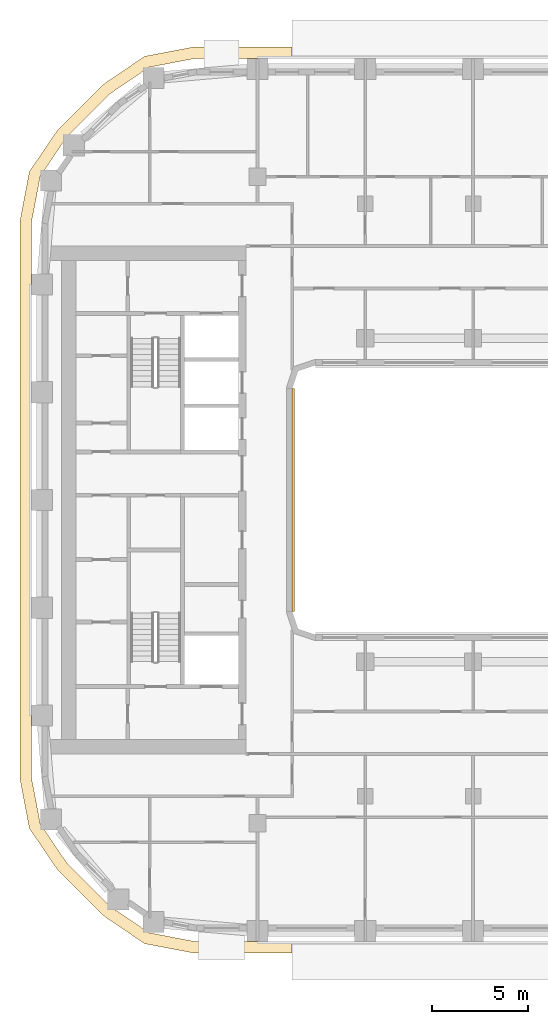
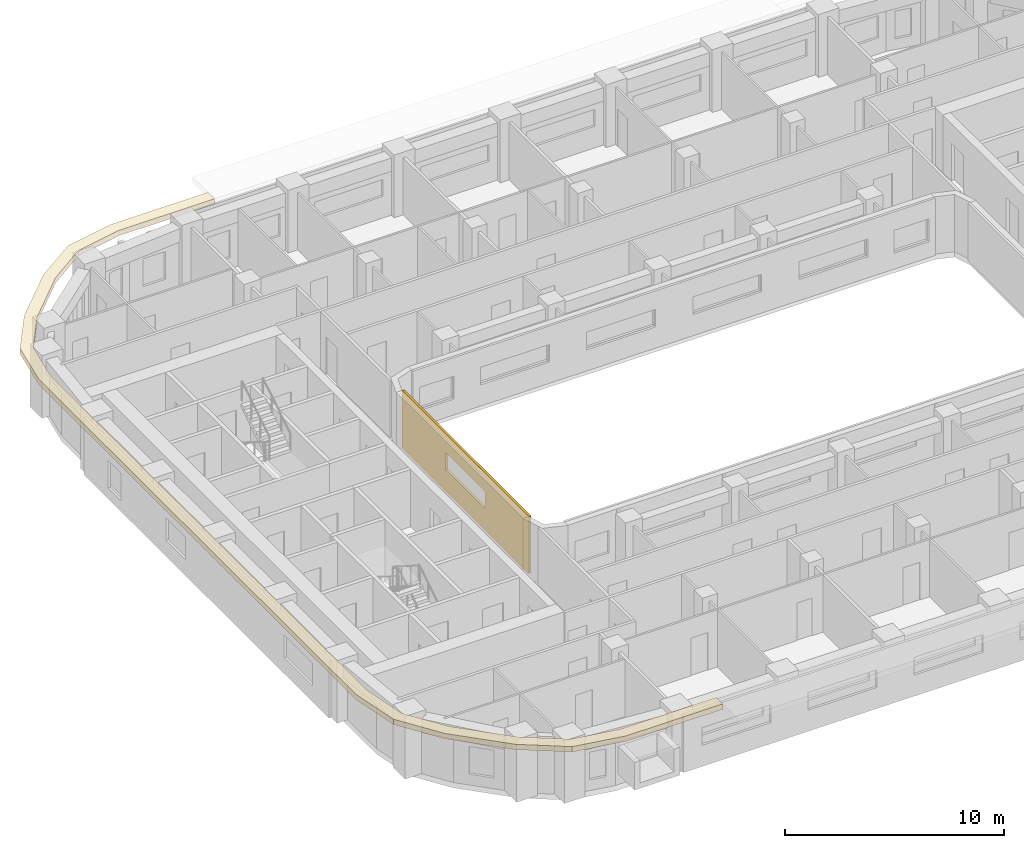
# One storey, part 14 of 22: 2 coverings.
"""IFC4 building model written with IfcOpenShell, lengths in metres."""

from ifc_helpers import new_model, si_unit, direction, frame, origin, place, context, subcontext, project, spatial, polyline, outline, extrude, material, layer, layer_set, type_object, element, save


model = new_model("IFC4")

# Units and contexts
model_context = context("Model", 3, precision=1e-05, world=origin(), true_north=direction((0.0, 1.0)))
body_context = subcontext(model_context, "Body", "Model", "MODEL_VIEW")
ifc_project = project(units=[si_unit("LENGTHUNIT", "METRE"), si_unit("AREAUNIT", "SQUARE_METRE"), si_unit("VOLUMEUNIT", "CUBIC_METRE"), si_unit("PLANEANGLEUNIT", "RADIAN"), si_unit("MASSUNIT", "GRAM", prefix="KILO")], contexts=[model_context])

# Site, building, storey
site_placement = place(None, origin())
site = spatial("IfcSite", under=ifc_project, at=site_placement, CompositionType="ELEMENT")
building_placement = place(site_placement, origin())
building = spatial("IfcBuilding", under=site, at=building_placement, Name="Kiln Ring Residences", CompositionType="ELEMENT")
storey_placement = place(building_placement, frame((0.0, 0.0, 150.10009765625)))
storey = spatial("IfcBuildingStorey", under=building, at=storey_placement, Name="L38", CompositionType="ELEMENT", Elevation=150.10009765625)

# Coverings
ifc_material_1 = material(Name="Brick masonry, dark clay brick", Category="masonry")
ifc_layer_1 = layer(ifc_material_1, 0.1201171875)
ifc_layer_set_1 = layer_set([ifc_layer_1], Name="RAINSCREEN PANEL 120")
covering_type_1 = type_object("IfcCoveringType", Name="RAINSCREEN PANEL 120", PredefinedType="CLADDING", material=ifc_layer_set_1)
covering_1_placement = place(storey_placement, frame((-14.93994140625, -5.800048828125, 0.0), z_axis=(0.0, 0.0, 1.0), x_axis=(0.0, 1.0, 0.0)))
element("IfcCovering", 1, at=covering_1_placement, inside=storey, type_object=covering_type_1, Name="RAINSCREEN L38", PredefinedType="CLADDING", context=body_context, shape_type="SweptSolid", body=[
    extrude(outline(polyline([(0.0, 0.0), (11.60009765625, 0.0), (11.60009765625, 3.199951171875), (0.0, 3.199951171875), (0.0, 0.0)]), holes=[polyline([(4.0, 2.14990234375), (4.0, 1.199951171875), (7.60009765625, 1.199951171875), (7.60009765625, 2.14990234375), (4.0, 2.14990234375)])]), frame((0.0, 0.06005859375, 0.0), z_axis=(0.0, -1.0, 0.0), x_axis=(1.0, 0.0, 0.0)), (0.0, 0.0, 1.0), 0.1201171875),
])
ifc_material_2 = material(Name="Black powder-coated steel", Category="steel")
ifc_layer_2 = layer(ifc_material_2, 0.300048828125)
ifc_layer_set_2 = layer_set([ifc_layer_2], Name="SUNSHADE FIN 600")
covering_type_2 = type_object("IfcCoveringType", Name="SUNSHADE FIN 600", PredefinedType="CLADDING", material=ifc_layer_set_2)
covering_2_placement = place(storey_placement, frame((0.0, 0.0, 3.199951171875)))
element("IfcCovering", 2, at=covering_2_placement, inside=storey, type_object=covering_type_2, Name="SUNSHADE FIN L38", PredefinedType="CLADDING", context=body_context, shape_type="SweptSolid", body=[
    extrude(outline(polyline([(-29.14990234375, -14.5087890625), (-28.66064453125, -17.07373046875), (-27.193115234375, -19.2333984375), (-24.83349609375, -21.593017578125), (-22.673583984375, -23.060791015625), (-20.108642578125, -23.550048828125), (-15.0, -23.550048828125), (-15.0, -22.949951171875), (-20.052001953125, -22.949951171875), (-22.439208984375, -22.49462890625), (-24.44921875, -21.128662109375), (-26.728515625, -18.84912109375), (-28.0947265625, -16.839111328125), (-28.550048828125, -14.451904296875), (-28.550048828125, 14.451904296875), (-28.0947265625, 16.839111328125), (-26.728515625, 18.84912109375), (-24.44921875, 21.128662109375), (-22.439208984375, 22.49462890625), (-20.052001953125, 22.949951171875), (-15.0, 22.949951171875), (-15.0, 23.550048828125), (-20.108642578125, 23.550048828125), (-22.673583984375, 23.060791015625), (-24.83349609375, 21.593017578125), (-27.193115234375, 19.2333984375), (-28.66064453125, 17.07373046875), (-29.14990234375, 14.5087890625), (-29.14990234375, -14.5087890625)])), origin(), (0.0, 0.0, 1.0), 0.300048828125),
])

save(model, "model.ifc")
